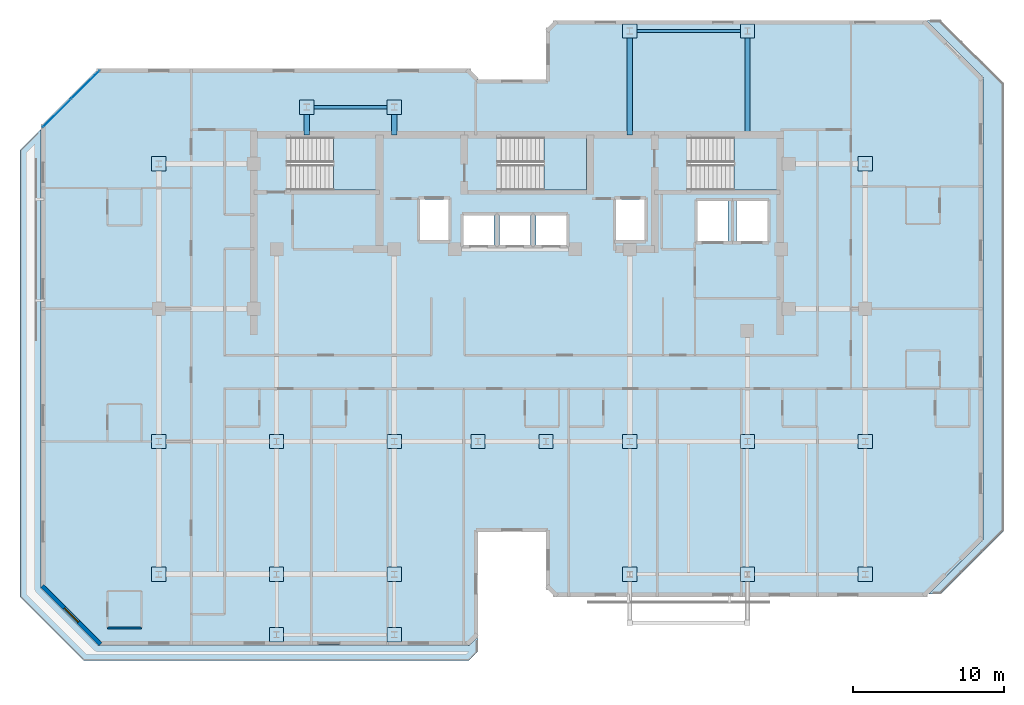
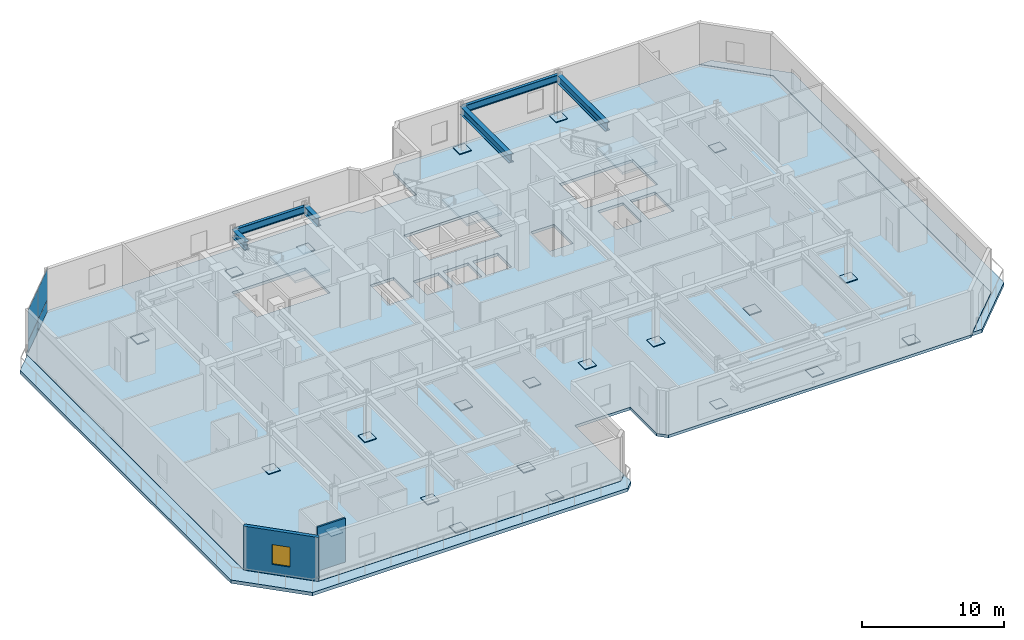
# One storey, part 3 of 13: 26 plates, 6 beams, 6 slabs, 2 walls, 1 window, 1 opening, 4 elements without a shape of their own.
"""IFC4 building model written with IfcOpenShell, lengths in metres."""

from ifc_helpers import new_model, si_unit, direction, frame, frame_2d, origin, origin_2d, place, context, subcontext, project, spatial, polyline, rectangle, i_section, outline, extrude, material, layer, layer_set, material_profile, profile_set, type_object, element, fill, aggregate, save


model = new_model("IFC4")

# Units and contexts
model_context = context("Model", 3, precision=1e-05, world=origin(), true_north=direction((0.0, 1.0)))
body_context = subcontext(model_context, "Body", "Model", "MODEL_VIEW")
ifc_project = project(units=[si_unit("LENGTHUNIT", "METRE"), si_unit("AREAUNIT", "SQUARE_METRE"), si_unit("VOLUMEUNIT", "CUBIC_METRE"), si_unit("PLANEANGLEUNIT", "RADIAN"), si_unit("MASSUNIT", "GRAM", prefix="KILO")], contexts=[model_context])

# Site, building, storey
site_placement = place(None, origin())
site = spatial("IfcSite", under=ifc_project, at=site_placement, CompositionType="ELEMENT")
building_placement = place(site_placement, origin())
building = spatial("IfcBuilding", under=site, at=building_placement, Name="Kestravale Grand Hotel", CompositionType="ELEMENT")
storey_placement = place(building_placement, frame((0.0, 0.0, 245.39990234375)))
storey = spatial("IfcBuildingStorey", under=building, at=storey_placement, Name="L61", CompositionType="ELEMENT", Elevation=245.39990234375)

# Beams
ifc_material_1 = material(Name="Steel ASTM A992 Grade 50", Category="steel")
ifc_material_profile_1 = material_profile(ifc_material_1, i_section(OverallWidth=0.22900390625, OverallDepth=0.612060546875, WebThickness=0.011962890625, FlangeThickness=0.01953125, FilletRadius=0.019287109375, at=origin_2d()))
ifc_profile_set_1 = profile_set([ifc_material_profile_1], Name="Steel ASTM A992 Grade 50")
beam_type_1 = type_object("IfcBeamType", Name="B-FLR-W24B", PredefinedType="SPANDREL", material=ifc_profile_set_1)
beam_1_placement = place(storey_placement, frame((46.800048828125, 47.199951171875, 3.4541015625), z_axis=(1.0, 0.0, 0.0), x_axis=(0.0, 1.0, 0.0)))
element("IfcBeam", 1, at=beam_1_placement, inside=storey, type_object=beam_type_1, Name="L61 spandrel G:8-9", PredefinedType="SPANDREL", context=body_context, shape_type="SweptSolid", body=[
    extrude(i_section(OverallWidth=0.22900390625, OverallDepth=0.612060546875, WebThickness=0.011962890625, FlangeThickness=0.01953125, FilletRadius=0.019287109375, at=origin_2d()), origin(), (0.0, 0.0, 1.0), 7.800048828125),
])
beam_2_placement = place(storey_placement, frame((25.39990234375, 42.14990234375, 3.4541015625), z_axis=(1.0, 0.0, 0.0), x_axis=(0.0, 1.0, 0.0)))
element("IfcBeam", 2, at=beam_2_placement, inside=storey, type_object=beam_type_1, Name="L61 perimeter tie spandrel FN:4-5", PredefinedType="SPANDREL", context=body_context, shape_type="SweptSolid", body=[
    extrude(i_section(OverallWidth=0.22900390625, OverallDepth=0.612060546875, WebThickness=0.011962890625, FlangeThickness=0.01953125, FilletRadius=0.019287109375, at=origin_2d()), origin(), (0.0, 0.0, 1.0), 5.800048828125),
])
ifc_material_2 = material(Name="Steel ASTM A992 Grade 50", Category="steel")
ifc_material_profile_2 = material_profile(ifc_material_2, i_section(OverallWidth=0.35595703125, OverallDepth=0.696044921875, WebThickness=0.015380859375, FlangeThickness=0.02490234375, FilletRadius=0.021240234375, at=origin_2d()))
ifc_profile_set_2 = profile_set([ifc_material_profile_2], Name="Steel ASTM A992 Grade 50")
beam_type_2 = type_object("IfcBeamType", Name="B-GRD-W27", PredefinedType="BEAM", material=ifc_profile_set_2)
for number, where, z_axis, x_axis, name in (
    (3, (25.39990234375, 40.320068359375, 3.412109375), (0.0, 1.0, 0.0), (-1.0, 0.0, 0.0), "L61 north wing tie girder 4:CN-FN"),
    (4, (31.199951171875, 40.320068359375, 3.412109375), (0.0, 1.0, 0.0), (-1.0, 0.0, 0.0), "L61 north wing tie girder 5:CN-FN"),
):
    element("IfcBeam", number, at=place(storey_placement, frame(where, z_axis=z_axis, x_axis=x_axis)), inside=storey, type_object=beam_type_2, Name=name, PredefinedType="BEAM", context=body_context, shape_type="SweptSolid", body=[
        extrude(i_section(OverallWidth=0.35595703125, OverallDepth=0.696044921875, WebThickness=0.015380859375, FlangeThickness=0.02490234375, FilletRadius=0.021240234375, at=origin_2d()), origin(), (0.0, 0.0, 1.0), 1.829833984375),
    ])
for number, where, z_axis, x_axis, name in (
    (5, (46.800048828125, 40.320068359375, 3.412109375), (0.0, 1.0, 0.0), (-1.0, 0.0, 0.0), "L61 north wing tie girder 8:CN-G"),
    (6, (54.60009765625, 40.320068359375, 3.412109375), (0.0, 1.0, 0.0), (-1.0, 0.0, 0.0), "L61 north wing tie girder 9:CN-G"),
):
    element("IfcBeam", number, at=place(storey_placement, frame(where, z_axis=z_axis, x_axis=x_axis)), inside=storey, type_object=beam_type_2, Name=name, PredefinedType="BEAM", context=body_context, shape_type="SweptSolid", body=[
        extrude(i_section(OverallWidth=0.35595703125, OverallDepth=0.696044921875, WebThickness=0.015380859375, FlangeThickness=0.02490234375, FilletRadius=0.021240234375, at=origin_2d()), origin(), (0.0, 0.0, 1.0), 6.8798828125),
    ])

# Curtain wall, plates
ifc_material_3 = material(Name="Thermally broken champagne-bronze aluminium and low-E glazing", Category="aluminium")
ifc_layer_1 = layer(ifc_material_3, 0.179931640625)
ifc_layer_set_1 = layer_set([ifc_layer_1], Name="CW-Z4")
curtain_wall_type = type_object("IfcCurtainWallType", Name="CW-Z4", PredefinedType="NOTDEFINED", material=ifc_layer_set_1)
curtain_wall_placement = place(storey_placement, origin())
curtain_wall = element("IfcCurtainWall", 7, at=curtain_wall_placement, inside=storey, type_object=curtain_wall_type, Name="L61 unitised curtain wall 18", PredefinedType="NOTDEFINED")
ifc_material_4 = material(Name="Insulated clear low-E double glazing IGU", Category="glass")
ifc_layer_2 = layer(ifc_material_4, 0.028076171875)
ifc_layer_set_2 = layer_set([ifc_layer_2], Name="CW-PNL-28")
plate_type_1 = type_object("IfcPlateType", Name="CW-PNL-28", PredefinedType="CURTAIN_PANEL", material=ifc_layer_set_2)
plate_1_placement = place(storey_placement, frame((10.74462890625, 43.646728515625, 0.06494140625), z_axis=(0.0, 0.0, 1.0), x_axis=(-0.707106781187, -0.707106781187, 0.0)))
plate_1 = element("IfcPlate", 8, at=plate_1_placement, type_object=plate_type_1, Name="CW-Z4 panel 1.1", PredefinedType="CURTAIN_PANEL", context=body_context, shape_type="SweptSolid", body=[
    extrude(rectangle(XDim=2.609619140625, YDim=0.028076171875, at=origin_2d()), origin(), (0.0, 0.0, 1.0), 0.952392578125),
])
plate_2_placement = place(storey_placement, frame((10.74462890625, 43.646728515625, 1.08251953125), z_axis=(0.0, 0.0, 1.0), x_axis=(-0.707106781187, -0.707106781187, 0.0)))
plate_2 = element("IfcPlate", 9, at=plate_2_placement, type_object=plate_type_1, Name="CW-Z4 panel 1.2", PredefinedType="CURTAIN_PANEL", context=body_context, shape_type="SweptSolid", body=[
    extrude(rectangle(XDim=2.609619140625, YDim=0.028076171875, at=origin_2d()), origin(), (0.0, 0.0, 1.0), 2.612548828125),
])
plate_3_placement = place(storey_placement, frame((8.853271484375, 41.75537109375, 0.06494140625), z_axis=(0.0, 0.0, 1.0), x_axis=(-0.707106781187, -0.707106781187, 0.0)))
plate_3 = element("IfcPlate", 10, at=plate_3_placement, type_object=plate_type_1, Name="CW-Z4 panel 2.1", PredefinedType="CURTAIN_PANEL", context=body_context, shape_type="SweptSolid", body=[
    extrude(rectangle(XDim=2.609619140625, YDim=0.028076171875, at=origin_2d()), origin(), (0.0, 0.0, 1.0), 0.952392578125),
])
plate_4_placement = place(storey_placement, frame((8.853271484375, 41.75537109375, 1.08251953125), z_axis=(0.0, 0.0, 1.0), x_axis=(-0.707106781187, -0.707106781187, 0.0)))
plate_4 = element("IfcPlate", 11, at=plate_4_placement, type_object=plate_type_1, Name="CW-Z4 panel 2.2", PredefinedType="CURTAIN_PANEL", context=body_context, shape_type="SweptSolid", body=[
    extrude(rectangle(XDim=2.609619140625, YDim=0.028076171875, at=origin_2d()), origin(), (0.0, 0.0, 1.0), 2.612548828125),
])
aggregate(curtain_wall, [plate_1, plate_2, plate_3, plate_4])

# Slabs
ifc_material_5 = material(Name="Concrete f'c 45 MPa", Category="concrete")
ifc_layer_3 = layer(ifc_material_5, 0.2900390625)
ifc_layer_set_3 = layer_set([ifc_layer_3], Name="ES-TERR-290")
slab_type_1 = type_object("IfcSlabType", Name="ES-TERR-290", PredefinedType="ROOF", material=ifc_layer_set_3)
slab_1_placement = place(storey_placement, frame((0.0, 0.0, -0.289794921875)))
element("IfcSlab", 12, at=slab_1_placement, inside=storey, type_object=slab_type_1, Name="L61 setback terrace 1", PredefinedType="ROOF", context=body_context, shape_type="SweptSolid", body=[
    extrude(outline(polyline([(36.75, 6.10009765625), (36.14990234375, 5.5), (10.60009765625, 5.5), (6.39990234375, 9.699951171875), (6.39990234375, 39.300048828125), (7.780029296875, 40.679931640625), (7.780029296875, 10.300048828125), (7.780029296875, 10.298095703125), (7.780517578125, 10.296142578125), (7.781005859375, 10.294189453125), (7.781494140625, 10.292236328125), (7.782470703125, 10.29052734375), (7.783447265625, 10.288818359375), (7.784423828125, 10.287353515625), (7.785888671875, 10.285888671875), (11.5859375, 6.48583984375), (11.58740234375, 6.484619140625), (11.5888671875, 6.4833984375), (11.590576171875, 6.482421875), (11.59228515625, 6.4814453125), (11.59423828125, 6.48095703125), (11.59619140625, 6.48046875), (11.597900390625, 6.47998046875), (11.60009765625, 6.47998046875), (36.14990234375, 6.47998046875), (36.152099609375, 6.47998046875), (36.15380859375, 6.48046875), (36.15576171875, 6.48095703125), (36.15771484375, 6.4814453125), (36.159423828125, 6.482421875), (36.1611328125, 6.4833984375), (36.16259765625, 6.484619140625), (36.1640625, 6.48583984375), (36.75, 7.07177734375), (36.75, 6.10009765625)])), origin(), (0.0, 0.0, 1.0), 0.289794921875),
])
slab_2_placement = place(storey_placement, frame((0.0, 0.0, -0.289794921875)))
element("IfcSlab", 13, at=slab_2_placement, inside=storey, type_object=slab_type_1, Name="L61 setback terrace 2", PredefinedType="ROOF", context=body_context, shape_type="SweptSolid", body=[
    extrude(outline(polyline([(67.39990234375, 47.89990234375), (71.60009765625, 43.699951171875), (71.60009765625, 14.10009765625), (67.39990234375, 9.89990234375), (66.62841796875, 9.89990234375), (70.214111328125, 13.48583984375), (70.215576171875, 13.4873046875), (70.216552734375, 13.489013671875), (70.217529296875, 13.490478515625), (70.218505859375, 13.4921875), (70.218994140625, 13.494140625), (70.219482421875, 13.49609375), (70.219970703125, 13.498046875), (70.219970703125, 13.5), (70.219970703125, 44.10009765625), (70.219970703125, 44.10205078125), (70.219482421875, 44.10400390625), (70.218994140625, 44.105712890625), (70.218505859375, 44.107666015625), (70.217529296875, 44.109375), (70.216552734375, 44.111083984375), (70.215576171875, 44.11279296875), (70.214111328125, 44.114013671875), (66.42822265625, 47.89990234375), (67.39990234375, 47.89990234375)])), origin(), (0.0, 0.0, 1.0), 0.289794921875),
])

# Plates
ifc_material_6 = material(Name="Steel ASTM A572 Grade 50", Category="steel")
ifc_layer_4 = layer(ifc_material_6, 0.06494140625)
ifc_layer_set_4 = layer_set([ifc_layer_4], Name="PL-BAS-65")
plate_type_2 = type_object("IfcPlateType", Name="PL-BAS-65", PredefinedType="USERDEFINED", material=ifc_layer_set_4)
for number, where, z_axis, x_axis, name in (
    (14, (15.60009765625, 11.199951171875, 0.000244140625), (0.0, 0.0, 1.0), (1.0, 0.0, 0.0), "L61 steel column base plate 3-C"),
    (15, (15.60009765625, 20.0, 0.000244140625), (0.0, 0.0, 1.0), (1.0, 0.0, 0.0), "L61 steel column base plate 3-D"),
    (16, (15.60009765625, 38.39990234375, 0.000244140625), (0.0, 0.0, 1.0), (1.0, 0.0, 0.0), "L61 steel column base plate 3-F"),
    (17, (23.39990234375, 11.199951171875, 0.000244140625), (0.0, 0.0, 1.0), (1.0, 0.0, 0.0), "L61 steel column base plate 4-C"),
    (18, (23.39990234375, 20.0, 0.000244140625), (0.0, 0.0, 1.0), (1.0, 0.0, 0.0), "L61 steel column base plate 4-D"),
    (19, (31.199951171875, 11.199951171875, 0.000244140625), (0.0, 0.0, 1.0), (1.0, 0.0, 0.0), "L61 steel column base plate 5-C"),
    (20, (31.199951171875, 20.0, 0.000244140625), (0.0, 0.0, 1.0), (1.0, 0.0, 0.0), "L61 steel column base plate 5-D"),
    (21, (36.75, 20.0, 0.000244140625), (0.0, 0.0, 1.0), (1.0, 0.0, 0.0), "L61 steel column base plate 6-D"),
    (22, (41.25, 20.0, 0.000244140625), (0.0, 0.0, 1.0), (1.0, 0.0, 0.0), "L61 steel column base plate 7-D"),
    (23, (46.800048828125, 11.199951171875, 0.000244140625), (0.0, 0.0, 1.0), (1.0, 0.0, 0.0), "L61 steel column base plate 8-C"),
    (24, (46.800048828125, 20.0, 0.000244140625), (0.0, 0.0, 1.0), (1.0, 0.0, 0.0), "L61 steel column base plate 8-D"),
    (25, (46.800048828125, 47.199951171875, 0.000244140625), (0.0, 0.0, 1.0), (1.0, 0.0, 0.0), "L61 steel column base plate 8-G"),
    (26, (54.60009765625, 11.199951171875, 0.000244140625), (0.0, 0.0, 1.0), (1.0, 0.0, 0.0), "L61 steel column base plate 9-C"),
    (27, (54.60009765625, 20.0, 0.000244140625), (0.0, 0.0, 1.0), (1.0, 0.0, 0.0), "L61 steel column base plate 9-D"),
    (28, (54.60009765625, 47.199951171875, 0.000244140625), (0.0, 0.0, 1.0), (1.0, 0.0, 0.0), "L61 steel column base plate 9-G"),
    (29, (62.39990234375, 11.199951171875, 0.000244140625), (0.0, 0.0, 1.0), (1.0, 0.0, 0.0), "L61 steel column base plate 10-C"),
    (30, (62.39990234375, 20.0, 0.000244140625), (0.0, 0.0, 1.0), (1.0, 0.0, 0.0), "L61 steel column base plate 10-D"),
    (31, (62.39990234375, 38.39990234375, 0.000244140625), (0.0, 0.0, 1.0), (1.0, 0.0, 0.0), "L61 steel column base plate 10-F"),
    (32, (23.39990234375, 7.199951171875, 0.000244140625), (0.0, 0.0, 1.0), (1.0, 0.0, 0.0), "L61 steel column base plate 4-BS"),
    (33, (31.199951171875, 7.199951171875, 0.000244140625), (0.0, 0.0, 1.0), (1.0, 0.0, 0.0), "L61 steel column base plate 5-BS"),
    (34, (25.39990234375, 42.14990234375, 0.000244140625), (0.0, 0.0, 1.0), (1.0, 0.0, 0.0), "L61 steel column base plate 4-FN"),
    (35, (31.199951171875, 42.14990234375, 0.000244140625), (0.0, 0.0, 1.0), (1.0, 0.0, 0.0), "L61 steel column base plate 5-FN"),
):
    element("IfcPlate", number, at=place(storey_placement, frame(where, z_axis=z_axis, x_axis=x_axis)), inside=storey, type_object=plate_type_2, Name=name, ObjectType="BASE PLATE", PredefinedType="USERDEFINED", context=body_context, shape_type="SweptSolid", body=[
        extrude(rectangle(XDim=0.949951171875, YDim=0.949951171875, at=origin_2d()), origin(), (0.0, 0.0, 1.0), 0.06494140625),
    ])

# Stair, slab
ifc_material_7 = material(Name="Concrete f'c 45 MPa", Category="concrete")
stair_type = type_object("IfcStairType", Name="ST-CORE-400", PredefinedType="HALF_TURN_STAIR", material=ifc_material_7)
stair_1_placement = place(storey_placement, origin())
stair_1 = element("IfcStair", 36, at=stair_1_placement, inside=storey, type_object=stair_type, Name="L61 ST-1", PredefinedType="HALF_TURN_STAIR")
ifc_material_8 = material(Name="Concrete f'c 45 MPa", Category="concrete")
ifc_layer_5 = layer(ifc_material_8, 0.199951171875)
ifc_layer_set_5 = layer_set([ifc_layer_5], Name="SLB-ST-LND200")
slab_type_2 = type_object("IfcSlabType", Name="SLB-ST-LND200", PredefinedType="LANDING", material=ifc_layer_set_5)
slab_3_placement = place(storey_placement, frame((0.0, 0.0, 1.800048828125)))
slab_3 = element("IfcSlab", 37, at=slab_3_placement, type_object=slab_type_2, Name="ST-1 landing 1", PredefinedType="LANDING", context=body_context, shape_type="SweptSolid", body=[
    extrude(outline(polyline([(27.159912109375, 36.64990234375), (30.0, 36.64990234375), (30.0, 40.159912109375), (27.159912109375, 40.159912109375), (27.159912109375, 36.64990234375)])), origin(), (0.0, 0.0, 1.0), 0.199951171875),
])
aggregate(stair_1, [slab_3])

stair_2_placement = place(storey_placement, origin())
stair_2 = element("IfcStair", 38, at=stair_2_placement, inside=storey, type_object=stair_type, Name="L61 ST-2", PredefinedType="HALF_TURN_STAIR")
slab_4_placement = place(storey_placement, frame((0.0, 0.0, 1.800048828125)))
slab_4 = element("IfcSlab", 39, at=slab_4_placement, type_object=slab_type_2, Name="ST-2 landing 1", PredefinedType="LANDING", context=body_context, shape_type="SweptSolid", body=[
    extrude(outline(polyline([(41.110107421875, 36.64990234375), (43.949951171875, 36.64990234375), (43.949951171875, 40.159912109375), (41.110107421875, 40.159912109375), (41.110107421875, 36.64990234375)])), origin(), (0.0, 0.0, 1.0), 0.199951171875),
])
aggregate(stair_2, [slab_4])

stair_3_placement = place(storey_placement, origin())
stair_3 = element("IfcStair", 40, at=stair_3_placement, inside=storey, type_object=stair_type, Name="L61 ST-3", PredefinedType="HALF_TURN_STAIR")
slab_5_placement = place(storey_placement, frame((0.0, 0.0, 1.800048828125)))
slab_5 = element("IfcSlab", 41, at=slab_5_placement, type_object=slab_type_2, Name="ST-3 landing 1", PredefinedType="LANDING", context=body_context, shape_type="SweptSolid", body=[
    extrude(outline(polyline([(53.7099609375, 36.64990234375), (56.550048828125, 36.64990234375), (56.550048828125, 40.159912109375), (53.7099609375, 40.159912109375), (53.7099609375, 36.64990234375)])), origin(), (0.0, 0.0, 1.0), 0.199951171875),
])
aggregate(stair_3, [slab_5])

# Slab
ifc_material_9 = material(Name="Concrete f'c 45 MPa", Category="concrete")
ifc_layer_6 = layer(ifc_material_9, 0.239990234375)
ifc_layer_set_6 = layer_set([ifc_layer_6], Name="SS-FLR-240")
slab_type_3 = type_object("IfcSlabType", Name="SS-FLR-240", PredefinedType="FLOOR", material=ifc_layer_set_6)
slab_6_placement = place(storey_placement, frame((0.0, 0.0, -0.239990234375)))
element("IfcSlab", 42, at=slab_6_placement, inside=storey, type_object=slab_type_3, Name="L61 structural floor slab", PredefinedType="FLOOR", context=body_context, shape_type="SweptSolid", body=[
    extrude(outline(polyline([(11.60009765625, 6.5), (36.14990234375, 6.5), (36.75, 7.10009765625), (36.75, 14.0), (41.25, 14.0), (41.25, 10.300048828125), (41.85009765625, 9.699951171875), (66.39990234375, 9.699951171875), (70.199951171875, 13.5), (70.199951171875, 44.10009765625), (66.39990234375, 47.89990234375), (41.85009765625, 47.89990234375), (41.25, 47.300048828125), (41.25, 44.0), (36.75, 44.0), (36.75, 44.10009765625), (36.14990234375, 44.699951171875), (11.60009765625, 44.699951171875), (7.800048828125, 40.89990234375), (7.800048828125, 10.300048828125), (11.60009765625, 6.5)]), holes=[polyline([(24.080078125, 36.64990234375), (30.0, 36.64990234375), (30.0, 40.159912109375), (24.080078125, 40.159912109375), (24.080078125, 36.64990234375)]), polyline([(38.030029296875, 36.64990234375), (43.949951171875, 36.64990234375), (43.949951171875, 40.159912109375), (38.030029296875, 40.159912109375), (38.030029296875, 36.64990234375)]), polyline([(50.6298828125, 36.64990234375), (56.550048828125, 36.64990234375), (56.550048828125, 40.159912109375), (50.6298828125, 40.159912109375), (50.6298828125, 36.64990234375)]), polyline([(35.780029296875, 33.030029296875), (37.820068359375, 33.030029296875), (37.820068359375, 34.969970703125), (35.780029296875, 34.969970703125), (35.780029296875, 33.030029296875)]), polyline([(38.179931640625, 33.030029296875), (40.219970703125, 33.030029296875), (40.219970703125, 34.969970703125), (38.179931640625, 34.969970703125), (38.179931640625, 33.030029296875)]), polyline([(40.580078125, 33.030029296875), (42.6201171875, 33.030029296875), (42.6201171875, 34.969970703125), (40.580078125, 34.969970703125), (40.580078125, 33.030029296875)]), polyline([(32.905029296875, 33.35498046875), (34.794921875, 33.35498046875), (34.794921875, 36.044921875), (32.905029296875, 36.044921875), (32.905029296875, 33.35498046875)]), polyline([(45.905029296875, 33.35498046875), (47.794921875, 33.35498046875), (47.794921875, 36.044921875), (45.905029296875, 36.044921875), (45.905029296875, 33.35498046875)]), polyline([(51.280029296875, 33.280029296875), (53.320068359375, 33.280029296875), (53.320068359375, 35.919921875), (51.280029296875, 35.919921875), (51.280029296875, 33.280029296875)]), polyline([(53.8798828125, 33.280029296875), (55.919921875, 33.280029296875), (55.919921875, 35.919921875), (53.8798828125, 35.919921875), (53.8798828125, 33.280029296875)])]), origin(), (0.0, 0.0, 1.0), 0.239990234375),
])

# Wall, opening, window
ifc_material_10 = material(Name="Precast concrete f'c 45 MPa", Category="concrete")
ifc_layer_7 = layer(ifc_material_10, 0.280029296875)
ifc_layer_set_7 = layer_set([ifc_layer_7], Name="EW-PREC-280")
wall_type_1 = type_object("IfcWallType", Name="EW-PREC-280", PredefinedType="SOLIDWALL", material=ifc_layer_set_7)
wall_1_placement = place(storey_placement, frame((7.87060546875, 10.42724609375, 0.0), z_axis=(0.0, 0.0, 1.0), x_axis=(0.707129162587, -0.707084399077, 0.0)))
wall_1 = element("IfcWall", 43, at=wall_1_placement, inside=storey, type_object=wall_type_1, Name="L61 fluted precast facade wall 20", PredefinedType="SOLIDWALL", context=body_context, shape_type="SweptSolid", body=[
    extrude(rectangle(XDim=5.4541015625, YDim=0.280029296875, at=frame_2d((2.72705078125, 0.0))), origin(), (0.0, 0.0, 1.0), 3.760009765625),
])
opening_placement = place(wall_1_placement, frame((2.076904296875, 0.0, 0.85009765625)))
opening = element("IfcOpeningElement", 44, at=opening_placement, cuts=wall_1, Name="Opening W-GUEST-1300", PredefinedType="OPENING", context=body_context, shape_type="SweptSolid", body=[
    extrude(rectangle(XDim=1.300048828125, YDim=1.699951171875, at=frame_2d((0.64990234375, 0.85009765625))), frame((0.0, 0.14990234375, 0.0), z_axis=(0.0, -1.0, 0.0), x_axis=(1.0, 0.0, 0.0)), (0.0, 0.0, 1.0), 0.300048828125),
])
ifc_material_11 = material(Name="Insulated low-E double glazing in aluminium frame", Category="aluminium")
window_type = type_object("IfcWindowType", Name="W-GUEST-1300", PartitioningType="SINGLE_PANEL", PredefinedType="WINDOW", material=ifc_material_11)
window_placement = place(opening_placement, origin())
window = element("IfcWindow", 45, at=window_placement, inside=storey, type_object=window_type, Name="L61 exterior window 20.1", OverallHeight=1.699951171875, OverallWidth=1.300048828125, PartitioningType="SINGLE_PANEL", PredefinedType="WINDOW", context=body_context, shape_type="SweptSolid", body=[
    extrude(rectangle(XDim=1.300048828125, YDim=1.699951171875, at=frame_2d((0.64990234375, 0.85009765625))), frame((0.0, 0.030029296875, 0.0), z_axis=(0.0, -1.0, 0.0), x_axis=(1.0, 0.0, 0.0)), (0.0, 0.0, 1.0), 0.06005859375),
])
fill(opening, window)

# Wall
ifc_material_12 = material(Name="Moisture-resistant tile-backer plumbing chase wall", Category="other")
ifc_layer_8 = layer(ifc_material_12, 0.139892578125)
ifc_layer_set_8 = layer_set([ifc_layer_8], Name="IW-PLB-140")
wall_type_2 = type_object("IfcWallType", Name="IW-PLB-140", PredefinedType="PLUMBINGWALL", material=ifc_layer_set_8)
wall_2_placement = place(storey_placement, frame((12.199951171875, 7.64990234375, 0.0), z_axis=(0.0, 0.0, 1.0), x_axis=(1.0, 0.0, 0.0)))
element("IfcWall", 46, at=wall_2_placement, inside=storey, type_object=wall_type_2, Name="W-L61-U06-BS", PredefinedType="PLUMBINGWALL", context=body_context, shape_type="SweptSolid", body=[
    extrude(rectangle(XDim=2.25, YDim=0.139892578125, at=frame_2d((1.125, 0.0))), origin(), (0.0, 0.0, 1.0), 3.760009765625),
])

save(model, "model.ifc")
